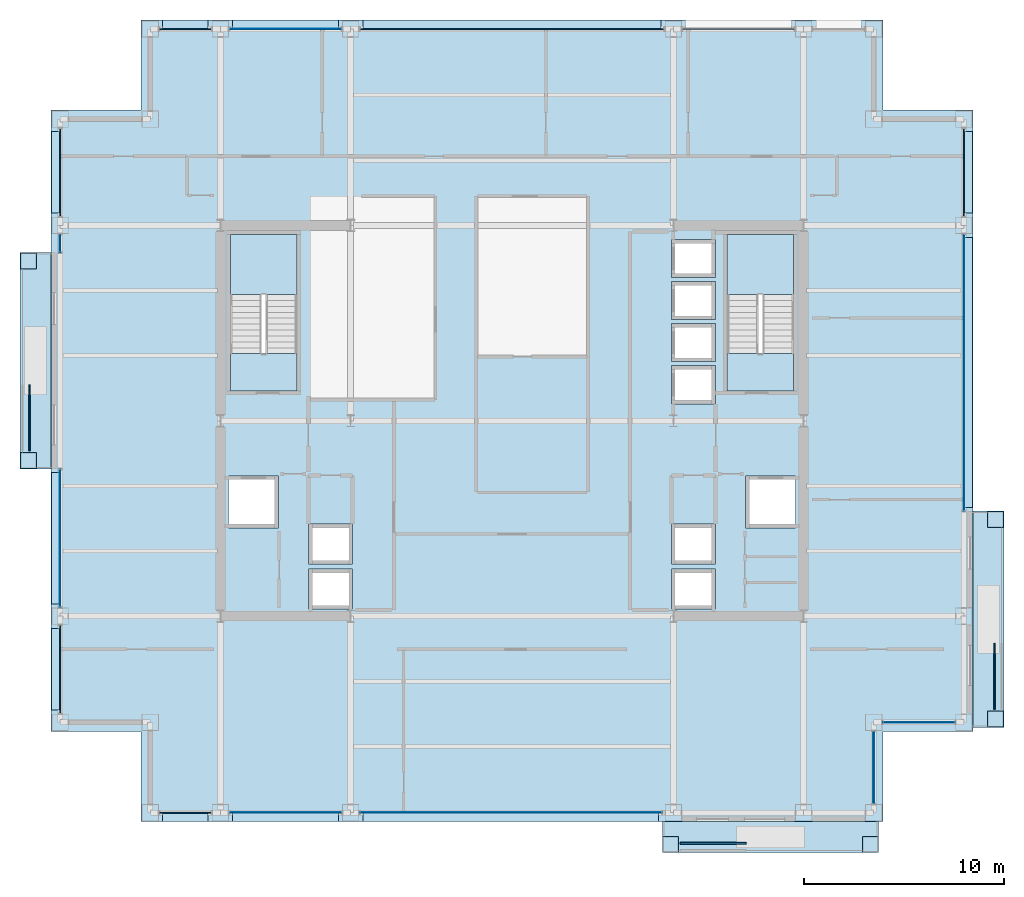
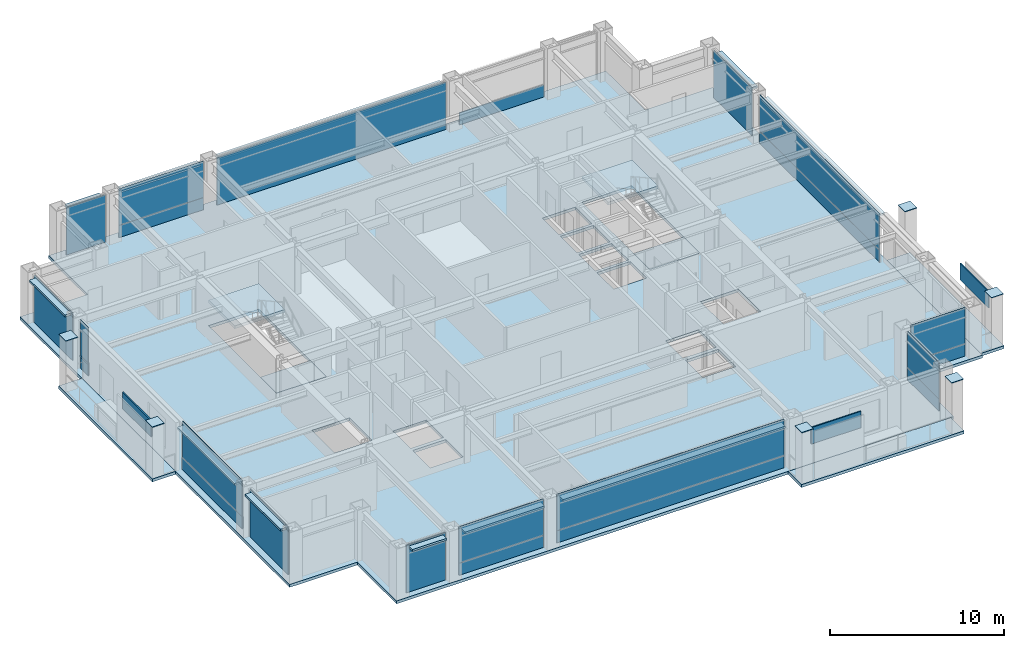
# One storey, part 24 of 31: 43 plates, 8 slabs, 1 member, 17 elements without a shape of their own.
"""IFC4 building model written with IfcOpenShell, lengths in metres."""

from ifc_helpers import new_model, si_unit, direction, frame, origin, origin_2d, place, context, subcontext, project, spatial, polyline, rectangle, hollow_rectangle, outline, extrude, material, layer, layer_set, material_profile, profile_set, type_object, element, aggregate, save


model = new_model("IFC4")

# Units and contexts
model_context = context("Model", 3, precision=1e-05, world=origin(), true_north=direction((0.0, 1.0)))
body_context = subcontext(model_context, "Body", "Model", "MODEL_VIEW")
ifc_project = project(units=[si_unit("LENGTHUNIT", "METRE"), si_unit("AREAUNIT", "SQUARE_METRE"), si_unit("VOLUMEUNIT", "CUBIC_METRE"), si_unit("PLANEANGLEUNIT", "RADIAN"), si_unit("MASSUNIT", "GRAM", prefix="KILO")], contexts=[model_context])

# Site, building, storey
site_placement = place(None, origin())
site = spatial("IfcSite", under=ifc_project, at=site_placement, CompositionType="ELEMENT")
building_placement = place(site_placement, origin())
building = spatial("IfcBuilding", under=site, at=building_placement, Name="Brelmoor Portico Tower", CompositionType="ELEMENT")
storey_placement = place(building_placement, frame((0.0, 0.0, 106.199951171875)))
storey = spatial("IfcBuildingStorey", under=building, at=storey_placement, Name="L27", CompositionType="ELEMENT", Elevation=106.199951171875)

# Curtain wall, member
ifc_material_1 = material(Name="Anodised Aluminium Alloy 6063-T6", Category="aluminium")
ifc_layer_1 = layer(ifc_material_1, 0.179931640625)
ifc_layer_set_1 = layer_set([ifc_layer_1], Name="Anodised Aluminium Alloy 6063-T6")
curtain_wall_type_1 = type_object("IfcCurtainWallType", Name="CW-TOWER-Z2", PredefinedType="NOTDEFINED", material=ifc_layer_set_1)
curtain_wall_1_placement = place(storey_placement, origin())
curtain_wall_1 = element("IfcCurtainWall", 1, at=curtain_wall_1_placement, inside=storey, type_object=curtain_wall_type_1, Name="L27 Curtain Wall CW-L27-3R-1", PredefinedType="NOTDEFINED")
ifc_material_profile = material_profile(ifc_material_1, hollow_rectangle(XDim=0.06494140625, YDim=0.139892578125, WallThickness=0.00390625, at=origin_2d()), Name="ALU TRANSOM 65x140")
ifc_profile_set = profile_set([ifc_material_profile], Name="Anodised Aluminium Alloy 6063-T6")
member_type = type_object("IfcMemberType", Name="MB-CW-TRAN-140", PredefinedType="USERDEFINED", material=ifc_profile_set)
member_placement = place(storey_placement, frame((-22.550048828125, 8.39990234375, 0.85009765625), z_axis=(0.0, 1.0, 0.0), x_axis=(-1.0, 0.0, 0.0)))
member = element("IfcMember", 2, at=member_placement, type_object=member_type, Name="CW-L27-3R-1 Transom 1-00", ObjectType="TRANSOM", PredefinedType="USERDEFINED", context=body_context, shape_type="SweptSolid", body=[
    extrude(hollow_rectangle(XDim=0.06494140625, YDim=0.139892578125, WallThickness=0.00390625, at=origin_2d()), origin(), (0.0, 0.0, 1.0), 0.9150390625),
])

# Plates
ifc_material_2 = material(Name="Steel Q355B", Category="steel")
ifc_layer_2 = layer(ifc_material_2, 0.044921875)
ifc_layer_set_2 = layer_set([ifc_layer_2], Name="Steel Q355B")
plate_type_1 = type_object("IfcPlateType", Name="PT-CAP-650", PredefinedType="SHEET", material=ifc_layer_set_2)
for number, where, z_axis, x_axis, name in (
    (3, (7.919921875, -21.1298828125, 3.60009765625), (0.0, 0.0, 1.0), (1.0, 0.0, 0.0), "L27 Proud Picture-Frame Pier PFJ-S1 Welded Head Cap Plate"),
    (4, (17.8798828125, -21.1298828125, 3.60009765625), (0.0, 0.0, 1.0), (1.0, 0.0, 0.0), "L27 Proud Picture-Frame Pier PFJ-S2 Welded Head Cap Plate"),
    (5, (24.1298828125, -14.8798828125, 3.60009765625), (0.0, 0.0, 1.0), (0.0, 1.0, 0.0), "L27 Proud Picture-Frame Pier PFJ-E1 Welded Head Cap Plate"),
    (6, (24.1298828125, -4.919921875, 3.60009765625), (0.0, 0.0, 1.0), (0.0, 1.0, 0.0), "L27 Proud Picture-Frame Pier PFJ-E2 Welded Head Cap Plate"),
    (7, (-24.1298828125, -1.97998046875, 3.60009765625), (0.0, 0.0, 1.0), (0.0, 1.0, 0.0), "L27 Proud Picture-Frame Pier PFJ-W1 Welded Head Cap Plate"),
    (8, (-24.1298828125, 7.97998046875, 3.60009765625), (0.0, 0.0, 1.0), (0.0, 1.0, 0.0), "L27 Proud Picture-Frame Pier PFJ-W2 Welded Head Cap Plate"),
):
    element("IfcPlate", number, at=place(storey_placement, frame(where, z_axis=z_axis, x_axis=x_axis)), inside=storey, type_object=plate_type_1, Name=name, PredefinedType="SHEET", context=body_context, shape_type="SweptSolid", body=[
        extrude(rectangle(XDim=0.7900390625, YDim=0.7900390625, at=origin_2d()), origin(), (0.0, 0.0, 1.0), 0.0400390625),
    ])

# Curtain wall, plate
curtain_wall_2_placement = place(storey_placement, origin())
curtain_wall_2 = element("IfcCurtainWall", 9, at=curtain_wall_2_placement, inside=storey, type_object=curtain_wall_type_1, Name="L27 Curtain Wall CW-L27-1L-2", PredefinedType="NOTDEFINED")
ifc_material_3 = material(Name="Double-Silver Low-E Insulated Glazing", Category="glass")
ifc_layer_3 = layer(ifc_material_3, 0.035888671875)
ifc_layer_set_3 = layer_set([ifc_layer_3], Name="Double-Silver Low-E Insulated Glazing")
plate_type_2 = type_object("IfcPlateType", Name="PT-CW-GLASS", PredefinedType="CURTAIN_PANEL", material=ifc_layer_set_3)
plate_1_placement = place(storey_placement, frame((-11.300048828125, -19.550048828125, 0.85009765625), z_axis=(0.0, 0.0, 1.0), x_axis=(1.0, 0.0, 0.0)))
plate_1 = element("IfcPlate", 10, at=plate_1_placement, type_object=plate_type_2, Name="CW-L27-1L-2 Vision Glass Panel 00", PredefinedType="CURTAIN_PANEL", context=body_context, shape_type="SweptSolid", body=[
    extrude(rectangle(XDim=5.60009765625, YDim=0.035888671875, at=origin_2d()), origin(), (0.0, 0.0, 1.0), 2.550048828125),
])

curtain_wall_3_placement = place(storey_placement, origin())
curtain_wall_3 = element("IfcCurtainWall", 11, at=curtain_wall_3_placement, inside=storey, type_object=curtain_wall_type_1, Name="L27 Curtain Wall CW-L27-1L-3", PredefinedType="NOTDEFINED")
plate_2_placement = place(storey_placement, frame((-0.0576171875, -19.550048828125, 0.85009765625), z_axis=(0.0, 0.0, 1.0), x_axis=(1.0, 0.0, 0.0)))
plate_2 = element("IfcPlate", 12, at=plate_2_placement, type_object=plate_type_2, Name="CW-L27-1L-3 Vision Glass Panel 00", PredefinedType="CURTAIN_PANEL", context=body_context, shape_type="SweptSolid", body=[
    extrude(rectangle(XDim=15.0849609375, YDim=0.035888671875, at=origin_2d()), origin(), (0.0, 0.0, 1.0), 2.550048828125),
])

curtain_wall_4_placement = place(storey_placement, origin())
curtain_wall_4 = element("IfcCurtainWall", 13, at=curtain_wall_4_placement, inside=storey, type_object=curtain_wall_type_1, Name="L27 Curtain Wall CW-L27-02-2", PredefinedType="NOTDEFINED")
plate_3_placement = place(storey_placement, frame((-11.300048828125, 19.550048828125, 0.85009765625), z_axis=(0.0, 0.0, 1.0), x_axis=(1.0, 0.0, 0.0)))
plate_3 = element("IfcPlate", 14, at=plate_3_placement, type_object=plate_type_2, Name="CW-L27-02-2 Vision Glass Panel 00", PredefinedType="CURTAIN_PANEL", context=body_context, shape_type="SweptSolid", body=[
    extrude(rectangle(XDim=5.60009765625, YDim=0.035888671875, at=origin_2d()), origin(), (0.0, 0.0, 1.0), 2.550048828125),
])

curtain_wall_5_placement = place(storey_placement, origin())
curtain_wall_5 = element("IfcCurtainWall", 15, at=curtain_wall_5_placement, inside=storey, type_object=curtain_wall_type_1, Name="L27 Curtain Wall CW-L27-3L-2", PredefinedType="NOTDEFINED")
plate_4_placement = place(storey_placement, frame((-22.550048828125, -5.857421875, 0.85009765625), z_axis=(0.0, 0.0, 1.0), x_axis=(0.0, 1.0, 0.0)))
plate_4 = element("IfcPlate", 16, at=plate_4_placement, type_object=plate_type_2, Name="CW-L27-3L-2 Vision Glass Panel 00", PredefinedType="CURTAIN_PANEL", context=body_context, shape_type="SweptSolid", body=[
    extrude(rectangle(XDim=6.885009765625, YDim=0.035888671875, at=origin_2d()), origin(), (0.0, 0.0, 1.0), 2.550048828125),
])

# Plate
plate_5_placement = place(storey_placement, frame((-22.550048828125, 8.857421875, 0.85009765625), z_axis=(0.0, 0.0, 1.0), x_axis=(0.0, 1.0, 0.0)))
plate_5 = element("IfcPlate", 17, at=plate_5_placement, type_object=plate_type_2, Name="CW-L27-3R-1 Vision Glass Panel 00", PredefinedType="CURTAIN_PANEL", context=body_context, shape_type="SweptSolid", body=[
    extrude(rectangle(XDim=0.885009765625, YDim=0.035888671875, at=origin_2d()), origin(), (0.0, 0.0, 1.0), 2.550048828125),
])

# Curtain wall, plate
curtain_wall_6_placement = place(storey_placement, origin())
curtain_wall_6 = element("IfcCurtainWall", 18, at=curtain_wall_6_placement, inside=storey, type_object=curtain_wall_type_1, Name="L27 Curtain Wall CW-L27-4R-1", PredefinedType="NOTDEFINED")
plate_6_placement = place(storey_placement, frame((22.550048828125, 2.407470703125, 0.85009765625), z_axis=(0.0, 0.0, 1.0), x_axis=(0.0, 1.0, 0.0)))
plate_6 = element("IfcPlate", 19, at=plate_6_placement, type_object=plate_type_2, Name="CW-L27-4R-1 Vision Glass Panel 00", PredefinedType="CURTAIN_PANEL", context=body_context, shape_type="SweptSolid", body=[
    extrude(rectangle(XDim=13.784912109375, YDim=0.035888671875, at=origin_2d()), origin(), (0.0, 0.0, 1.0), 2.550048828125),
])

ifc_layer_4 = layer(ifc_material_1, 0.179931640625)
ifc_layer_set_4 = layer_set([ifc_layer_4], Name="Anodised Aluminium Alloy 6063-T6")
curtain_wall_type_2 = type_object("IfcCurtainWallType", Name="CW-NOTCH-CHAMFER", PredefinedType="NOTDEFINED", material=ifc_layer_set_4)
curtain_wall_7_placement = place(storey_placement, origin())
curtain_wall_7 = element("IfcCurtainWall", 20, at=curtain_wall_7_placement, inside=storey, type_object=curtain_wall_type_2, Name="L27 Curtain Wall CWN-L27-SEH", PredefinedType="NOTDEFINED")
plate_7_placement = place(storey_placement, frame((20.300048828125, -15.050048828125, 0.85009765625), z_axis=(0.0, 0.0, 1.0), x_axis=(1.0, 0.0, 0.0)))
plate_7 = element("IfcPlate", 21, at=plate_7_placement, type_object=plate_type_2, Name="CWN-L27-SEH Vision Glass Panel 00", PredefinedType="CURTAIN_PANEL", context=body_context, shape_type="SweptSolid", body=[
    extrude(rectangle(XDim=3.60009765625, YDim=0.035888671875, at=origin_2d()), origin(), (0.0, 0.0, 1.0), 2.550048828125),
])

curtain_wall_8_placement = place(storey_placement, origin())
curtain_wall_8 = element("IfcCurtainWall", 22, at=curtain_wall_8_placement, inside=storey, type_object=curtain_wall_type_2, Name="L27 Curtain Wall CWN-L27-SEV", PredefinedType="NOTDEFINED")
plate_8_placement = place(storey_placement, frame((18.050048828125, -17.300048828125, 0.85009765625), z_axis=(0.0, 0.0, 1.0), x_axis=(0.0, 1.0, 0.0)))
plate_8 = element("IfcPlate", 23, at=plate_8_placement, type_object=plate_type_2, Name="CWN-L27-SEV Vision Glass Panel 00", PredefinedType="CURTAIN_PANEL", context=body_context, shape_type="SweptSolid", body=[
    extrude(rectangle(XDim=3.60009765625, YDim=0.035888671875, at=origin_2d()), origin(), (0.0, 0.0, 1.0), 2.550048828125),
])

ifc_layer_5 = layer(ifc_material_1, 0.179931640625)
ifc_layer_set_5 = layer_set([ifc_layer_5], Name="Anodised Aluminium Alloy 6063-T6")
curtain_wall_type_3 = type_object("IfcCurtainWallType", Name="CW-TOWER-Z2-XB", PredefinedType="NOTDEFINED", material=ifc_layer_set_5)
curtain_wall_9_placement = place(storey_placement, origin())
curtain_wall_9 = element("IfcCurtainWall", 24, at=curtain_wall_9_placement, inside=storey, type_object=curtain_wall_type_3, Name="L27 Curtain Wall CW-L27-1L-1", PredefinedType="NOTDEFINED")
ifc_material_4 = material(Name="Pale Champagne Anodised Aluminium Panel", Category="aluminium")
ifc_layer_6 = layer(ifc_material_4, 0.050048828125)
ifc_layer_set_6 = layer_set([ifc_layer_6], Name="Pale Champagne Anodised Aluminium Panel")
plate_type_3 = type_object("IfcPlateType", Name="PT-CW-SPANDREL", PredefinedType="SHEET", material=ifc_layer_set_6)
plate_9_placement = place(storey_placement, frame((-16.300048828125, -19.550048828125, 0.0), z_axis=(0.0, 0.0, 1.0), x_axis=(1.0, 0.0, 0.0)))
plate_9 = element("IfcPlate", 25, at=plate_9_placement, type_object=plate_type_3, Name="CW-L27-1L-1 Spandrel Panel 00", PredefinedType="SHEET", context=body_context, shape_type="SweptSolid", body=[
    extrude(rectangle(XDim=2.60009765625, YDim=0.050048828125, at=origin_2d()), origin(), (0.0, 0.0, 1.0), 3.330078125),
])
aggregate(curtain_wall_9, [plate_9])

# Plate
plate_10_placement = place(storey_placement, frame((-11.300048828125, -19.550048828125, 0.0), z_axis=(0.0, 0.0, 1.0), x_axis=(1.0, 0.0, 0.0)))
plate_10 = element("IfcPlate", 26, at=plate_10_placement, type_object=plate_type_3, Name="CW-L27-1L-2 Spandrel Panel 00", PredefinedType="SHEET", context=body_context, shape_type="SweptSolid", body=[
    extrude(rectangle(XDim=5.60009765625, YDim=0.050048828125, at=origin_2d()), origin(), (0.0, 0.0, 1.0), 0.85009765625),
])

aggregate(curtain_wall_2, [plate_10, plate_1])

plate_11_placement = place(storey_placement, frame((-0.0576171875, -19.550048828125, 0.0), z_axis=(0.0, 0.0, 1.0), x_axis=(1.0, 0.0, 0.0)))
plate_11 = element("IfcPlate", 27, at=plate_11_placement, type_object=plate_type_3, Name="CW-L27-1L-3 Spandrel Panel 00", PredefinedType="SHEET", context=body_context, shape_type="SweptSolid", body=[
    extrude(rectangle(XDim=15.0849609375, YDim=0.050048828125, at=origin_2d()), origin(), (0.0, 0.0, 1.0), 0.85009765625),
])

aggregate(curtain_wall_3, [plate_11, plate_2])

# Curtain wall, plate
curtain_wall_10_placement = place(storey_placement, origin())
curtain_wall_10 = element("IfcCurtainWall", 28, at=curtain_wall_10_placement, inside=storey, type_object=curtain_wall_type_3, Name="L27 Curtain Wall CW-L27-02-1", PredefinedType="NOTDEFINED")
plate_12_placement = place(storey_placement, frame((-16.300048828125, 19.550048828125, 0.0), z_axis=(0.0, 0.0, 1.0), x_axis=(1.0, 0.0, 0.0)))
plate_12 = element("IfcPlate", 29, at=plate_12_placement, type_object=plate_type_3, Name="CW-L27-02-1 Spandrel Panel 00", PredefinedType="SHEET", context=body_context, shape_type="SweptSolid", body=[
    extrude(rectangle(XDim=2.60009765625, YDim=0.050048828125, at=origin_2d()), origin(), (0.0, 0.0, 1.0), 3.330078125),
])
aggregate(curtain_wall_10, [plate_12])

# Plate
plate_13_placement = place(storey_placement, frame((-11.300048828125, 19.550048828125, 0.0), z_axis=(0.0, 0.0, 1.0), x_axis=(1.0, 0.0, 0.0)))
plate_13 = element("IfcPlate", 30, at=plate_13_placement, type_object=plate_type_3, Name="CW-L27-02-2 Spandrel Panel 00", PredefinedType="SHEET", context=body_context, shape_type="SweptSolid", body=[
    extrude(rectangle(XDim=5.60009765625, YDim=0.050048828125, at=origin_2d()), origin(), (0.0, 0.0, 1.0), 0.85009765625),
])

aggregate(curtain_wall_4, [plate_13, plate_3])

# Curtain wall, plate
curtain_wall_11_placement = place(storey_placement, origin())
curtain_wall_11 = element("IfcCurtainWall", 31, at=curtain_wall_11_placement, inside=storey, type_object=curtain_wall_type_3, Name="L27 Curtain Wall CW-L27-02-3", PredefinedType="NOTDEFINED")
plate_14_placement = place(storey_placement, frame((0.0, 19.550048828125, 0.0), z_axis=(0.0, 0.0, 1.0), x_axis=(1.0, 0.0, 0.0)))
plate_14 = element("IfcPlate", 32, at=plate_14_placement, type_object=plate_type_3, Name="CW-L27-02-3 Spandrel Panel 00", PredefinedType="SHEET", context=body_context, shape_type="SweptSolid", body=[
    extrude(rectangle(XDim=15.199951171875, YDim=0.050048828125, at=origin_2d()), origin(), (0.0, 0.0, 1.0), 3.330078125),
])
aggregate(curtain_wall_11, [plate_14])

curtain_wall_12_placement = place(storey_placement, origin())
curtain_wall_12 = element("IfcCurtainWall", 33, at=curtain_wall_12_placement, inside=storey, type_object=curtain_wall_type_1, Name="L27 Curtain Wall CW-L27-02-4", PredefinedType="NOTDEFINED")
plate_15_placement = place(storey_placement, frame((11.300048828125, 19.550048828125, 0.0), z_axis=(0.0, 0.0, 1.0), x_axis=(1.0, 0.0, 0.0)))
plate_15 = element("IfcPlate", 34, at=plate_15_placement, type_object=plate_type_3, Name="CW-L27-02-4 Spandrel Panel 00", PredefinedType="SHEET", context=body_context, shape_type="SweptSolid", body=[
    extrude(rectangle(XDim=5.60009765625, YDim=0.050048828125, at=origin_2d()), origin(), (0.0, 0.0, 1.0), 0.85009765625),
])
aggregate(curtain_wall_12, [plate_15])

curtain_wall_13_placement = place(storey_placement, origin())
curtain_wall_13 = element("IfcCurtainWall", 35, at=curtain_wall_13_placement, inside=storey, type_object=curtain_wall_type_3, Name="L27 Curtain Wall CW-L27-3L-1", PredefinedType="NOTDEFINED")
plate_16_placement = place(storey_placement, frame((-22.550048828125, -12.39990234375, 0.0), z_axis=(0.0, 0.0, 1.0), x_axis=(0.0, 1.0, 0.0)))
plate_16 = element("IfcPlate", 36, at=plate_16_placement, type_object=plate_type_3, Name="CW-L27-3L-1 Spandrel Panel 00", PredefinedType="SHEET", context=body_context, shape_type="SweptSolid", body=[
    extrude(rectangle(XDim=4.39990234375, YDim=0.050048828125, at=origin_2d()), origin(), (0.0, 0.0, 1.0), 3.330078125),
])
aggregate(curtain_wall_13, [plate_16])

# Plate
plate_17_placement = place(storey_placement, frame((-22.550048828125, -5.857421875, 0.0), z_axis=(0.0, 0.0, 1.0), x_axis=(0.0, 1.0, 0.0)))
plate_17 = element("IfcPlate", 37, at=plate_17_placement, type_object=plate_type_3, Name="CW-L27-3L-2 Spandrel Panel 00", PredefinedType="SHEET", context=body_context, shape_type="SweptSolid", body=[
    extrude(rectangle(XDim=6.885009765625, YDim=0.050048828125, at=origin_2d()), origin(), (0.0, 0.0, 1.0), 0.85009765625),
])

aggregate(curtain_wall_5, [plate_17, plate_4])

plate_18_placement = place(storey_placement, frame((-22.550048828125, 8.857421875, 0.0), z_axis=(0.0, 0.0, 1.0), x_axis=(0.0, 1.0, 0.0)))
plate_18 = element("IfcPlate", 38, at=plate_18_placement, type_object=plate_type_3, Name="CW-L27-3R-1 Spandrel Panel 00", PredefinedType="SHEET", context=body_context, shape_type="SweptSolid", body=[
    extrude(rectangle(XDim=0.885009765625, YDim=0.050048828125, at=origin_2d()), origin(), (0.0, 0.0, 1.0), 0.85009765625),
])

aggregate(curtain_wall_1, [member, plate_18, plate_5])

# Curtain wall, plate
curtain_wall_14_placement = place(storey_placement, origin())
curtain_wall_14 = element("IfcCurtainWall", 39, at=curtain_wall_14_placement, inside=storey, type_object=curtain_wall_type_3, Name="L27 Curtain Wall CW-L27-3R-2", PredefinedType="NOTDEFINED")
plate_19_placement = place(storey_placement, frame((-22.550048828125, 12.39990234375, 0.0), z_axis=(0.0, 0.0, 1.0), x_axis=(0.0, 1.0, 0.0)))
plate_19 = element("IfcPlate", 40, at=plate_19_placement, type_object=plate_type_3, Name="CW-L27-3R-2 Spandrel Panel 00", PredefinedType="SHEET", context=body_context, shape_type="SweptSolid", body=[
    extrude(rectangle(XDim=4.39990234375, YDim=0.050048828125, at=origin_2d()), origin(), (0.0, 0.0, 1.0), 3.330078125),
])
aggregate(curtain_wall_14, [plate_19])

# Plate
plate_20_placement = place(storey_placement, frame((22.550048828125, 2.407470703125, 0.0), z_axis=(0.0, 0.0, 1.0), x_axis=(0.0, 1.0, 0.0)))
plate_20 = element("IfcPlate", 41, at=plate_20_placement, type_object=plate_type_3, Name="CW-L27-4R-1 Spandrel Panel 00", PredefinedType="SHEET", context=body_context, shape_type="SweptSolid", body=[
    extrude(rectangle(XDim=13.784912109375, YDim=0.050048828125, at=origin_2d()), origin(), (0.0, 0.0, 1.0), 0.85009765625),
])

aggregate(curtain_wall_6, [plate_20, plate_6])

# Curtain wall, plate
curtain_wall_15_placement = place(storey_placement, origin())
curtain_wall_15 = element("IfcCurtainWall", 42, at=curtain_wall_15_placement, inside=storey, type_object=curtain_wall_type_3, Name="L27 Curtain Wall CW-L27-4R-2", PredefinedType="NOTDEFINED")
plate_21_placement = place(storey_placement, frame((22.550048828125, 12.39990234375, 0.0), z_axis=(0.0, 0.0, 1.0), x_axis=(0.0, 1.0, 0.0)))
plate_21 = element("IfcPlate", 43, at=plate_21_placement, type_object=plate_type_3, Name="CW-L27-4R-2 Spandrel Panel 00", PredefinedType="SHEET", context=body_context, shape_type="SweptSolid", body=[
    extrude(rectangle(XDim=4.39990234375, YDim=0.050048828125, at=origin_2d()), origin(), (0.0, 0.0, 1.0), 3.330078125),
])
aggregate(curtain_wall_15, [plate_21])

# Plate
plate_22_placement = place(storey_placement, frame((20.300048828125, -15.050048828125, 0.0), z_axis=(0.0, 0.0, 1.0), x_axis=(1.0, 0.0, 0.0)))
plate_22 = element("IfcPlate", 44, at=plate_22_placement, type_object=plate_type_3, Name="CWN-L27-SEH Spandrel Panel 00", PredefinedType="SHEET", context=body_context, shape_type="SweptSolid", body=[
    extrude(rectangle(XDim=3.60009765625, YDim=0.050048828125, at=origin_2d()), origin(), (0.0, 0.0, 1.0), 0.85009765625),
])

aggregate(curtain_wall_7, [plate_22, plate_7])

plate_23_placement = place(storey_placement, frame((18.050048828125, -17.300048828125, 0.0), z_axis=(0.0, 0.0, 1.0), x_axis=(0.0, 1.0, 0.0)))
plate_23 = element("IfcPlate", 45, at=plate_23_placement, type_object=plate_type_3, Name="CWN-L27-SEV Spandrel Panel 00", PredefinedType="SHEET", context=body_context, shape_type="SweptSolid", body=[
    extrude(rectangle(XDim=3.60009765625, YDim=0.050048828125, at=origin_2d()), origin(), (0.0, 0.0, 1.0), 0.85009765625),
])

aggregate(curtain_wall_8, [plate_23, plate_8])

# Plates
ifc_material_5 = material(Name="Powder-Coated Aluminium Shuttered Jalousie Louvre", Category="aluminium")
ifc_layer_7 = layer(ifc_material_5, 0.06005859375)
ifc_layer_set_7 = layer_set([ifc_layer_7], Name="Powder-Coated Aluminium Shuttered Jalousie Louvre")
plate_type_4 = type_object("IfcPlateType", Name="PT-JALOUSIE-SHUTTER", PredefinedType="SHEET", material=ifc_layer_set_7)
for number, where, z_axis, x_axis, name in (
    (46, (10.050048828125, -21.080078125, 2.275146484375), (0.0, 0.0, 1.0), (1.0, 0.0, 0.0), "L27 Shuttered Veranda Screen S"),
    (47, (-24.080078125, 0.14990234375, 2.275146484375), (0.0, 0.0, 1.0), (0.0, 1.0, 0.0), "L27 Shuttered Veranda Screen W"),
    (48, (24.080078125, -12.75, 2.275146484375), (0.0, 0.0, 1.0), (0.0, 1.0, 0.0), "L27 Shuttered Veranda Screen E"),
):
    element("IfcPlate", number, at=place(storey_placement, frame(where, z_axis=z_axis, x_axis=x_axis)), inside=storey, type_object=plate_type_4, Name=name, PredefinedType="SHEET", context=body_context, shape_type="SweptSolid", body=[
        extrude(rectangle(XDim=3.300048828125, YDim=0.080078125, at=origin_2d()), origin(), (0.0, 0.0, 1.0), 1.14990234375),
    ])
ifc_material_6 = material(Name="Pale Champagne Perforated Aluminium Solar Screen", Category="aluminium")
ifc_layer_8 = layer(ifc_material_6, 0.054931640625)
ifc_layer_set_8 = layer_set([ifc_layer_8], Name="Pale Champagne Perforated Aluminium Solar Screen")
plate_type_5 = type_object("IfcPlateType", Name="PT-SOLAR-LOUVRE", PredefinedType="SHEET", material=ifc_layer_set_8)
plate_24_placement = place(storey_placement, frame((-16.300048828125, -19.760009765625, 3.09033203125), z_axis=(0.0, 0.0, 1.0), x_axis=(1.0, 0.0, 0.0)))
element("IfcPlate", 49, at=plate_24_placement, inside=storey, type_object=plate_type_5, Name="CW-L27-1L-1 Caribbean Brise-Soleil Solar Screen", PredefinedType="SHEET", context=body_context, shape_type="SweptSolid", body=[
    extrude(rectangle(XDim=2.27001953125, YDim=0.4599609375, at=origin_2d()), origin(), (0.0, 0.0, 1.0), 0.139892578125),
])
plate_25_placement = place(storey_placement, frame((-11.300048828125, -19.760009765625, 3.09033203125), z_axis=(0.0, 0.0, 1.0), x_axis=(1.0, 0.0, 0.0)))
element("IfcPlate", 50, at=plate_25_placement, inside=storey, type_object=plate_type_5, Name="CW-L27-1L-2 Caribbean Brise-Soleil Solar Screen", PredefinedType="SHEET", context=body_context, shape_type="SweptSolid", body=[
    extrude(rectangle(XDim=5.27001953125, YDim=0.4599609375, at=origin_2d()), origin(), (0.0, 0.0, 1.0), 0.139892578125),
])
plate_26_placement = place(storey_placement, frame((-0.0576171875, -19.760009765625, 3.09033203125), z_axis=(0.0, 0.0, 1.0), x_axis=(1.0, 0.0, 0.0)))
element("IfcPlate", 51, at=plate_26_placement, inside=storey, type_object=plate_type_5, Name="CW-L27-1L-3 Caribbean Brise-Soleil Solar Screen", PredefinedType="SHEET", context=body_context, shape_type="SweptSolid", body=[
    extrude(rectangle(XDim=14.7548828125, YDim=0.4599609375, at=origin_2d()), origin(), (0.0, 0.0, 1.0), 0.139892578125),
])
plate_27_placement = place(storey_placement, frame((-16.300048828125, 19.760009765625, 3.09033203125), z_axis=(0.0, 0.0, 1.0), x_axis=(1.0, 0.0, 0.0)))
element("IfcPlate", 52, at=plate_27_placement, inside=storey, type_object=plate_type_5, Name="CW-L27-02-1 Caribbean Brise-Soleil Solar Screen", PredefinedType="SHEET", context=body_context, shape_type="SweptSolid", body=[
    extrude(rectangle(XDim=2.27001953125, YDim=0.4599609375, at=origin_2d()), origin(), (0.0, 0.0, 1.0), 0.139892578125),
])
plate_28_placement = place(storey_placement, frame((-11.300048828125, 19.760009765625, 3.09033203125), z_axis=(0.0, 0.0, 1.0), x_axis=(1.0, 0.0, 0.0)))
element("IfcPlate", 53, at=plate_28_placement, inside=storey, type_object=plate_type_5, Name="CW-L27-02-2 Caribbean Brise-Soleil Solar Screen", PredefinedType="SHEET", context=body_context, shape_type="SweptSolid", body=[
    extrude(rectangle(XDim=5.27001953125, YDim=0.4599609375, at=origin_2d()), origin(), (0.0, 0.0, 1.0), 0.139892578125),
])
plate_29_placement = place(storey_placement, frame((0.0, 19.760009765625, 3.09033203125), z_axis=(0.0, 0.0, 1.0), x_axis=(1.0, 0.0, 0.0)))
element("IfcPlate", 54, at=plate_29_placement, inside=storey, type_object=plate_type_5, Name="CW-L27-02-3 Caribbean Brise-Soleil Solar Screen", PredefinedType="SHEET", context=body_context, shape_type="SweptSolid", body=[
    extrude(rectangle(XDim=14.8701171875, YDim=0.4599609375, at=origin_2d()), origin(), (0.0, 0.0, 1.0), 0.139892578125),
])
plate_30_placement = place(storey_placement, frame((-22.760009765625, -12.39990234375, 3.09033203125), z_axis=(0.0, 0.0, 1.0), x_axis=(0.0, 1.0, 0.0)))
element("IfcPlate", 55, at=plate_30_placement, inside=storey, type_object=plate_type_5, Name="CW-L27-3L-1 Caribbean Brise-Soleil Solar Screen", PredefinedType="SHEET", context=body_context, shape_type="SweptSolid", body=[
    extrude(rectangle(XDim=4.070068359375, YDim=0.4599609375, at=origin_2d()), origin(), (0.0, 0.0, 1.0), 0.139892578125),
])
plate_31_placement = place(storey_placement, frame((-22.760009765625, -5.857421875, 3.09033203125), z_axis=(0.0, 0.0, 1.0), x_axis=(0.0, 1.0, 0.0)))
element("IfcPlate", 56, at=plate_31_placement, inside=storey, type_object=plate_type_5, Name="CW-L27-3L-2 Caribbean Brise-Soleil Solar Screen", PredefinedType="SHEET", context=body_context, shape_type="SweptSolid", body=[
    extrude(rectangle(XDim=6.554931640625, YDim=0.4599609375, at=origin_2d()), origin(), (0.0, 0.0, 1.0), 0.139892578125),
])
plate_32_placement = place(storey_placement, frame((-22.760009765625, 12.39990234375, 3.09033203125), z_axis=(0.0, 0.0, 1.0), x_axis=(0.0, 1.0, 0.0)))
element("IfcPlate", 57, at=plate_32_placement, inside=storey, type_object=plate_type_5, Name="CW-L27-3R-2 Caribbean Brise-Soleil Solar Screen", PredefinedType="SHEET", context=body_context, shape_type="SweptSolid", body=[
    extrude(rectangle(XDim=4.070068359375, YDim=0.4599609375, at=origin_2d()), origin(), (0.0, 0.0, 1.0), 0.139892578125),
])
plate_33_placement = place(storey_placement, frame((22.760009765625, 2.407470703125, 3.09033203125), z_axis=(0.0, 0.0, 1.0), x_axis=(0.0, 1.0, 0.0)))
element("IfcPlate", 58, at=plate_33_placement, inside=storey, type_object=plate_type_5, Name="CW-L27-4R-1 Caribbean Brise-Soleil Solar Screen", PredefinedType="SHEET", context=body_context, shape_type="SweptSolid", body=[
    extrude(rectangle(XDim=13.455078125, YDim=0.4599609375, at=origin_2d()), origin(), (0.0, 0.0, 1.0), 0.139892578125),
])
plate_34_placement = place(storey_placement, frame((22.760009765625, 12.39990234375, 3.09033203125), z_axis=(0.0, 0.0, 1.0), x_axis=(0.0, 1.0, 0.0)))
element("IfcPlate", 59, at=plate_34_placement, inside=storey, type_object=plate_type_5, Name="CW-L27-4R-2 Caribbean Brise-Soleil Solar Screen", PredefinedType="SHEET", context=body_context, shape_type="SweptSolid", body=[
    extrude(rectangle(XDim=4.070068359375, YDim=0.4599609375, at=origin_2d()), origin(), (0.0, 0.0, 1.0), 0.139892578125),
])

# Slabs
ifc_material_7 = material(Name="Concrete C40", Category="concrete")
ifc_layer_9 = layer(ifc_material_7, 0.199951171875)
ifc_layer_set_9 = layer_set([ifc_layer_9], Name="Concrete C40")
slab_type_1 = type_object("IfcSlabType", Name="SL-BALCONY-200", PredefinedType="FLOOR", material=ifc_layer_set_9)
slab_1_placement = place(storey_placement, frame((0.0, 0.0, -0.199951171875)))
element("IfcSlab", 60, at=slab_1_placement, inside=storey, type_object=slab_type_1, Name="L27 Loggia Tree Balcony Slab S", PredefinedType="FLOOR", context=body_context, shape_type="SweptSolid", body=[
    extrude(outline(polyline([(7.5, -21.550048828125), (18.300048828125, -21.550048828125), (18.300048828125, -20.0), (7.5, -20.0), (7.5, -21.550048828125)])), origin(), (0.0, 0.0, 1.0), 0.199951171875),
])
slab_2_placement = place(storey_placement, frame((0.0, 0.0, -0.199951171875)))
element("IfcSlab", 61, at=slab_2_placement, inside=storey, type_object=slab_type_1, Name="L27 Loggia Tree Balcony Slab E", PredefinedType="FLOOR", context=body_context, shape_type="SweptSolid", body=[
    extrude(outline(polyline([(23.0, -15.300048828125), (24.550048828125, -15.300048828125), (24.550048828125, -4.5), (23.0, -4.5), (23.0, -15.300048828125)])), origin(), (0.0, 0.0, 1.0), 0.199951171875),
])
slab_3_placement = place(storey_placement, frame((0.0, 0.0, -0.199951171875)))
element("IfcSlab", 62, at=slab_3_placement, inside=storey, type_object=slab_type_1, Name="L27 Loggia Tree Balcony Slab W", PredefinedType="FLOOR", context=body_context, shape_type="SweptSolid", body=[
    extrude(outline(polyline([(-24.550048828125, -2.39990234375), (-23.0, -2.39990234375), (-23.0, 8.39990234375), (-24.550048828125, 8.39990234375), (-24.550048828125, -2.39990234375)])), origin(), (0.0, 0.0, 1.0), 0.199951171875),
])
ifc_layer_10 = layer(ifc_material_7, 0.199951171875)
ifc_layer_set_10 = layer_set([ifc_layer_10], Name="Concrete C40")
slab_type_2 = type_object("IfcSlabType", Name="SL-FLOOR-200", PredefinedType="FLOOR", material=ifc_layer_set_10)
slab_4_placement = place(storey_placement, frame((0.0, 0.0, -0.199951171875)))
element("IfcSlab", 63, at=slab_4_placement, inside=storey, type_object=slab_type_2, Name="L27 Main Structural Floor Slab", PredefinedType="FLOOR", context=body_context, shape_type="SweptSolid", body=[
    extrude(outline(polyline([(-18.5, -20.0), (18.5, -20.0), (18.5, -15.5), (23.0, -15.5), (23.0, 15.5), (18.5, 15.5), (18.5, 20.0), (-18.5, 20.0), (-18.5, 15.5), (-23.0, 15.5), (-23.0, -15.5), (-18.5, -15.5), (-18.5, -20.0)]), holes=[polyline([(-10.72998046875, 1.5), (-10.72998046875, 9.300048828125), (-14.050048828125, 9.300048828125), (-14.050048828125, 1.5), (-10.72998046875, 1.5)]), polyline([(14.050048828125, 1.5), (14.050048828125, 9.300048828125), (10.72998046875, 9.300048828125), (10.72998046875, 1.5), (14.050048828125, 1.5)]), polyline([(7.949951171875, 0.85009765625), (10.14990234375, 0.85009765625), (10.14990234375, 2.75), (7.949951171875, 2.75), (7.949951171875, 0.85009765625)]), polyline([(7.949951171875, 2.949951171875), (10.14990234375, 2.949951171875), (10.14990234375, 4.85009765625), (7.949951171875, 4.85009765625), (7.949951171875, 2.949951171875)]), polyline([(7.949951171875, 5.050048828125), (10.14990234375, 5.050048828125), (10.14990234375, 6.949951171875), (7.949951171875, 6.949951171875), (7.949951171875, 5.050048828125)]), polyline([(7.949951171875, 7.14990234375), (10.14990234375, 7.14990234375), (10.14990234375, 9.050048828125), (7.949951171875, 9.050048828125), (7.949951171875, 7.14990234375)]), polyline([(-10.14990234375, -9.39990234375), (-7.949951171875, -9.39990234375), (-7.949951171875, -7.39990234375), (-10.14990234375, -7.39990234375), (-10.14990234375, -9.39990234375)]), polyline([(-10.14990234375, -7.14990234375), (-7.949951171875, -7.14990234375), (-7.949951171875, -5.14990234375), (-10.14990234375, -5.14990234375), (-10.14990234375, -7.14990234375)]), polyline([(7.949951171875, -9.39990234375), (10.14990234375, -9.39990234375), (10.14990234375, -7.39990234375), (7.949951171875, -7.39990234375), (7.949951171875, -9.39990234375)]), polyline([(7.949951171875, -7.14990234375), (10.14990234375, -7.14990234375), (10.14990234375, -5.14990234375), (7.949951171875, -5.14990234375), (7.949951171875, -7.14990234375)]), polyline([(-14.14990234375, -5.35009765625), (-11.64990234375, -5.35009765625), (-11.64990234375, -2.75), (-14.14990234375, -2.75), (-14.14990234375, -5.35009765625)]), polyline([(11.64990234375, -5.35009765625), (14.14990234375, -5.35009765625), (14.14990234375, -2.75), (11.64990234375, -2.75), (11.64990234375, -5.35009765625)])]), origin(), (0.0, 0.0, 1.0), 0.199951171875),
])

# Stair, slab
stair_type_1 = type_object("IfcStairType", Name="ST-CORE-W", PredefinedType="HALF_TURN_STAIR", material=ifc_material_7)
stair_1_placement = place(storey_placement, origin())
stair_1 = element("IfcStair", 64, at=stair_1_placement, inside=storey, type_object=stair_type_1, Name="L27 Protected Core Exit Stair ST-W", PredefinedType="HALF_TURN_STAIR")
ifc_layer_11 = layer(ifc_material_7, 0.179931640625)
ifc_layer_set_11 = layer_set([ifc_layer_11], Name="Concrete C40")
slab_type_3 = type_object("IfcSlabType", Name="SL-LANDING-180", PredefinedType="LANDING", material=ifc_layer_set_11)
slab_5_placement = place(storey_placement, frame((0.0, 0.0, 1.60009765625)))
slab_5 = element("IfcSlab", 65, at=slab_5_placement, type_object=slab_type_3, Name="ST-W landing 1", PredefinedType="LANDING", context=body_context, shape_type="SweptSolid", body=[
    extrude(outline(polyline([(-10.72998046875, 6.300048828125), (-10.72998046875, 9.300048828125), (-14.050048828125, 9.300048828125), (-14.050048828125, 6.300048828125), (-10.72998046875, 6.300048828125)])), origin(), (0.0, 0.0, 1.0), 0.199951171875),
])
aggregate(stair_1, [slab_5])

stair_type_2 = type_object("IfcStairType", Name="ST-CORE-E", PredefinedType="HALF_TURN_STAIR", material=ifc_material_7)
stair_2_placement = place(storey_placement, origin())
stair_2 = element("IfcStair", 66, at=stair_2_placement, inside=storey, type_object=stair_type_2, Name="L27 Protected Core Exit Stair ST-E", PredefinedType="HALF_TURN_STAIR")
slab_6_placement = place(storey_placement, frame((0.0, 0.0, 1.60009765625)))
slab_6 = element("IfcSlab", 67, at=slab_6_placement, type_object=slab_type_3, Name="ST-E landing 1", PredefinedType="LANDING", context=body_context, shape_type="SweptSolid", body=[
    extrude(outline(polyline([(14.050048828125, 6.300048828125), (14.050048828125, 9.300048828125), (10.72998046875, 9.300048828125), (10.72998046875, 6.300048828125), (14.050048828125, 6.300048828125)])), origin(), (0.0, 0.0, 1.0), 0.199951171875),
])
aggregate(stair_2, [slab_6])

# Slabs
ifc_layer_12 = layer(ifc_material_7, 0.199951171875)
ifc_layer_set_12 = layer_set([ifc_layer_12], Name="Concrete C40")
slab_type_4 = type_object("IfcSlabType", Name="SL-STAIR-FL200", PredefinedType="LANDING", material=ifc_layer_set_12)
slab_7_placement = place(storey_placement, frame((0.0, 0.0, -0.199951171875)))
element("IfcSlab", 68, at=slab_7_placement, inside=storey, type_object=slab_type_4, Name="L27 ST-W Structural Floor Landing Slab", PredefinedType="LANDING", context=body_context, shape_type="SweptSolid", body=[
    extrude(outline(polyline([(-10.72998046875, 1.5), (-10.72998046875, 3.35009765625), (-14.050048828125, 3.35009765625), (-14.050048828125, 1.5), (-10.72998046875, 1.5)])), origin(), (0.0, 0.0, 1.0), 0.199951171875),
])
slab_8_placement = place(storey_placement, frame((0.0, 0.0, -0.199951171875)))
element("IfcSlab", 69, at=slab_8_placement, inside=storey, type_object=slab_type_4, Name="L27 ST-E Structural Floor Landing Slab", PredefinedType="LANDING", context=body_context, shape_type="SweptSolid", body=[
    extrude(outline(polyline([(14.050048828125, 1.5), (14.050048828125, 3.35009765625), (10.72998046875, 3.35009765625), (10.72998046875, 1.5), (14.050048828125, 1.5)])), origin(), (0.0, 0.0, 1.0), 0.199951171875),
])

save(model, "model.ifc")
